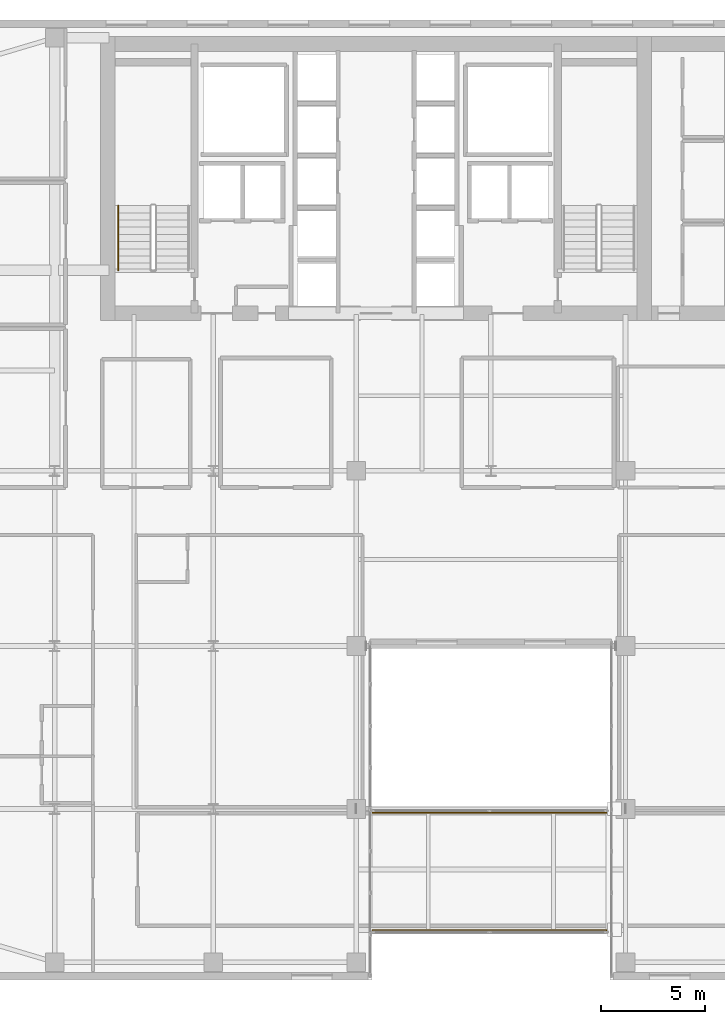
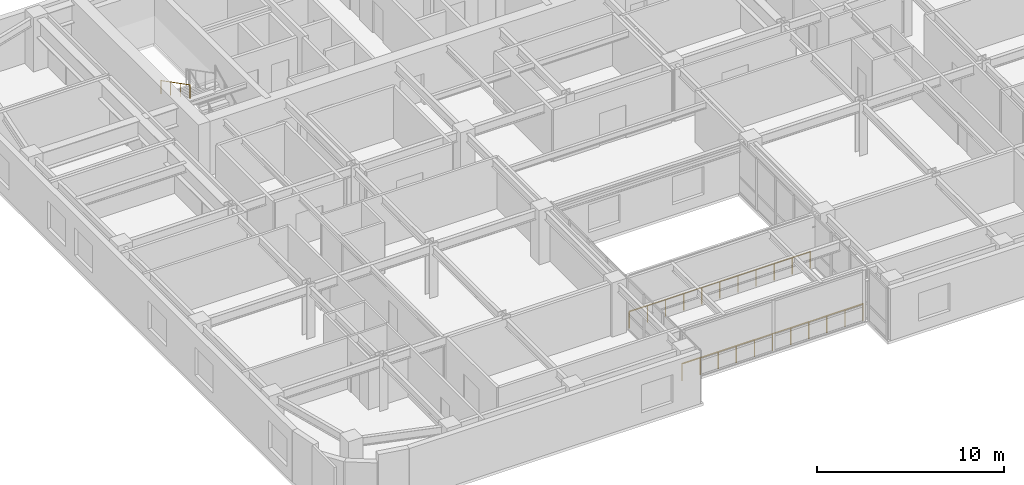
# One storey, part 24 of 25: 3 railings.
"""IFC4 building model written with IfcOpenShell, lengths in metres."""

from ifc_helpers import new_model, si_unit, direction, frame, origin, origin_2d, place, context, subcontext, project, spatial, circle, extrude, material, type_object, element, save


model = new_model("IFC4")

# Units and contexts
model_context = context("Model", 3, precision=1e-05, world=origin(), true_north=direction((0.0, 1.0)))
body_context = subcontext(model_context, "Body", "Model", "MODEL_VIEW")
ifc_project = project(units=[si_unit("LENGTHUNIT", "METRE"), si_unit("AREAUNIT", "SQUARE_METRE"), si_unit("VOLUMEUNIT", "CUBIC_METRE"), si_unit("PLANEANGLEUNIT", "RADIAN"), si_unit("MASSUNIT", "GRAM", prefix="KILO")], contexts=[model_context])

# Site, building, storey
site_placement = place(None, origin())
site = spatial("IfcSite", under=ifc_project, at=site_placement, CompositionType="ELEMENT")
building_placement = place(site_placement, origin())
building = spatial("IfcBuilding", under=site, at=building_placement, Name="Tolvann Quenvar Hotel", CompositionType="ELEMENT")
storey_placement = place(building_placement, frame((0.0, 0.0, 122.199951171875)))
storey = spatial("IfcBuildingStorey", under=building, at=storey_placement, Name="L31", CompositionType="ELEMENT", Elevation=122.199951171875)

# Railings
ifc_material_1 = material(Name="Brushed 316 stainless steel balustrade and handrail", Category="steel")
railing_type_1 = type_object("IfcRailingType", Name="HANDRAIL", PredefinedType="HANDRAIL", material=ifc_material_1)
railing_placement = place(storey_placement, frame((10.64990234375, 37.10498046875, 1.95263671875)))
element("IfcRailing", 1, at=railing_placement, inside=storey, type_object=railing_type_1, Name="L31 ST-C1 stair handrail 2", PredefinedType="HANDRAIL", context=body_context, shape_type="SweptSolid", body=[
    extrude(circle(Radius=0.02392578125, at=origin_2d()), frame((0.0, 0.0, 0.8759765625), z_axis=(0.0, -0.889221982265, 0.45747597342), x_axis=(1.0, 0.0, 0.0)), (0.0, 0.0, 1.0), 3.49169921875),
    extrude(circle(Radius=0.02099609375, at=origin_2d()), origin(), (0.0, 0.0, 1.0), 0.851806640625),
    extrude(circle(Radius=0.02099609375, at=origin_2d()), frame((0.0, -1.034912109375, 0.532470703125)), (0.0, 0.0, 1.0), 0.851806640625),
    extrude(circle(Radius=0.02099609375, at=origin_2d()), frame((0.0, -2.070068359375, 1.06494140625)), (0.0, 0.0, 1.0), 0.851806640625),
    extrude(circle(Radius=0.02099609375, at=origin_2d()), frame((0.0, -3.10498046875, 1.597412109375)), (0.0, 0.0, 1.0), 0.851806640625),
])
ifc_material_2 = material(Name="Brushed 316 marine-grade stainless steel balustrade and laminated safety glass", Category="steel")
railing_type_2 = type_object("IfcRailingType", Name="RAIL_BAL_1100", PredefinedType="BALUSTRADE", material=ifc_material_2)
for number, where, name in (
    (2, (22.840087890625, 2.3798828125, 0.0), "Safety Balustrade BAL-BRG-L31-S"),
    (3, (22.840087890625, 8.02001953125, 0.0), "Safety Balustrade BAL-BRG-L31-N"),
):
    element("IfcRailing", number, at=place(storey_placement, frame(where)), inside=storey, type_object=railing_type_2, Name=name, PredefinedType="BALUSTRADE", context=body_context, shape_type="SweptSolid", body=[
        extrude(circle(Radius=0.02490234375, at=origin_2d()), frame((0.0, 0.0, 1.09521484375), z_axis=(1.0, 0.0, 0.0), x_axis=(0.0, 1.0, 0.0)), (0.0, 0.0, 1.0), 11.199951171875),
        extrude(circle(Radius=0.02197265625, at=origin_2d()), origin(), (0.0, 0.0, 1.0), 1.070068359375),
        extrude(circle(Radius=0.02197265625, at=origin_2d()), frame((1.1201171875, 0.0, 0.0)), (0.0, 0.0, 1.0), 1.070068359375),
        extrude(circle(Radius=0.02197265625, at=origin_2d()), frame((2.239990234375, 0.0, 0.0)), (0.0, 0.0, 1.0), 1.070068359375),
        extrude(circle(Radius=0.02197265625, at=origin_2d()), frame((3.35986328125, 0.0, 0.0)), (0.0, 0.0, 1.0), 1.070068359375),
        extrude(circle(Radius=0.02197265625, at=origin_2d()), frame((4.47998046875, 0.0, 0.0)), (0.0, 0.0, 1.0), 1.070068359375),
        extrude(circle(Radius=0.02197265625, at=origin_2d()), frame((5.60009765625, 0.0, 0.0)), (0.0, 0.0, 1.0), 1.070068359375),
        extrude(circle(Radius=0.02197265625, at=origin_2d()), frame((6.719970703125, 0.0, 0.0)), (0.0, 0.0, 1.0), 1.070068359375),
        extrude(circle(Radius=0.02197265625, at=origin_2d()), frame((7.83984375, 0.0, 0.0)), (0.0, 0.0, 1.0), 1.070068359375),
        extrude(circle(Radius=0.02197265625, at=origin_2d()), frame((8.9599609375, 0.0, 0.0)), (0.0, 0.0, 1.0), 1.070068359375),
        extrude(circle(Radius=0.02197265625, at=origin_2d()), frame((10.080078125, 0.0, 0.0)), (0.0, 0.0, 1.0), 1.070068359375),
        extrude(circle(Radius=0.02197265625, at=origin_2d()), frame((11.199951171875, 0.0, 0.0)), (0.0, 0.0, 1.0), 1.070068359375),
    ])

save(model, "model.ifc")
